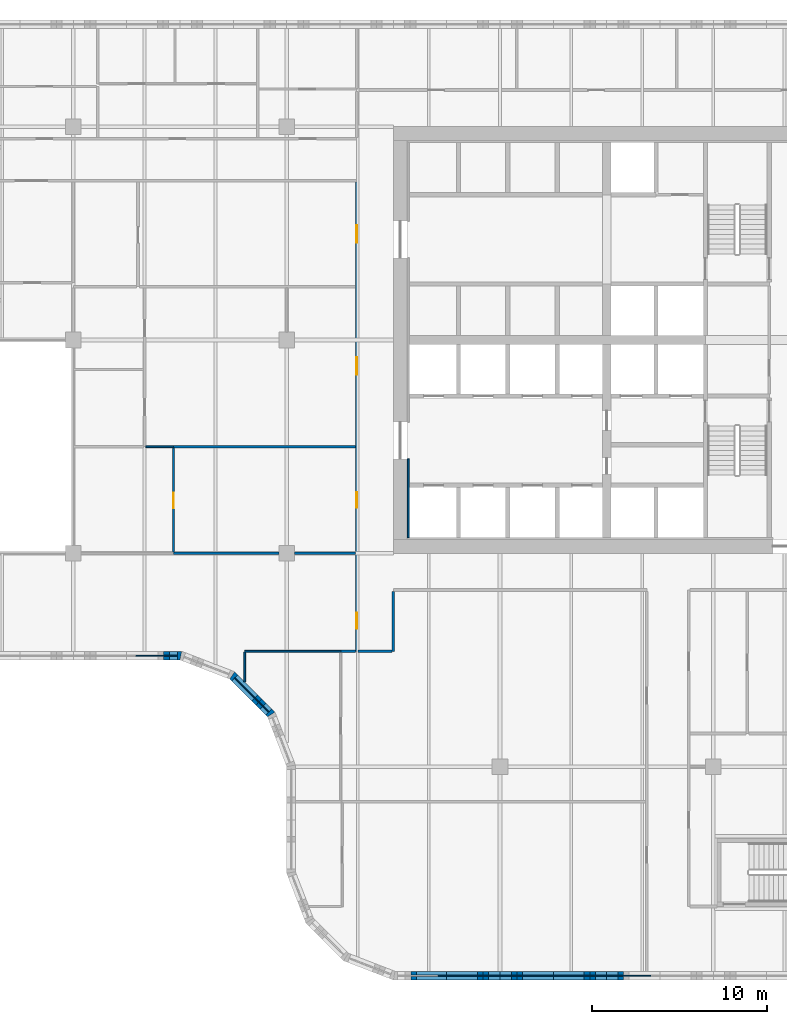
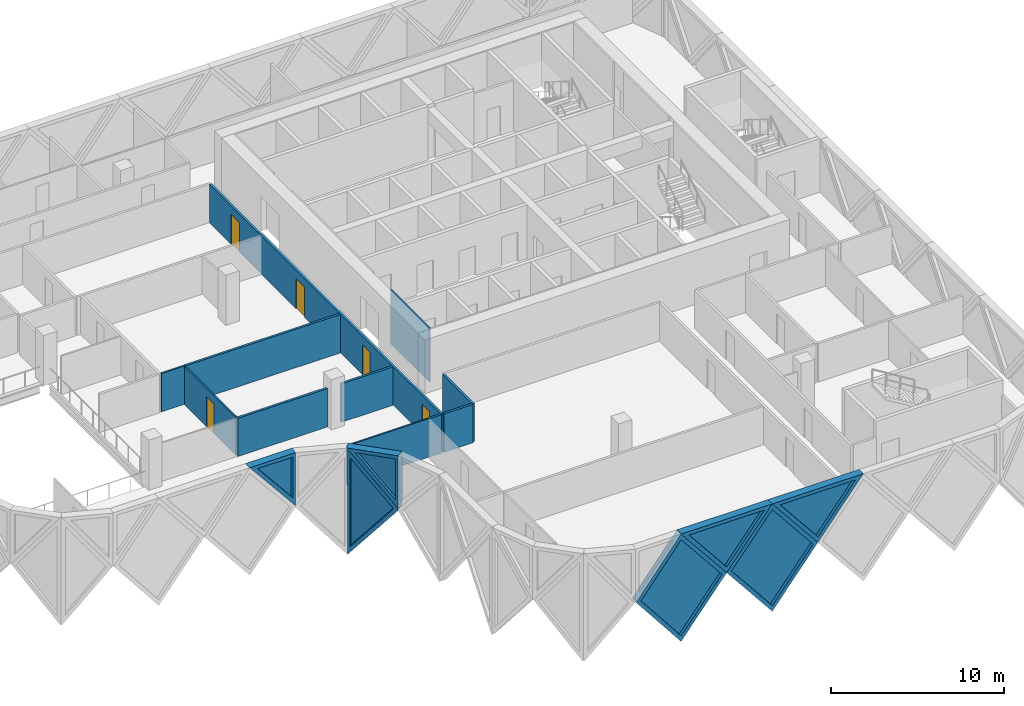
# One storey, part 6 of 24: 19 walls, 7 plates, 5 doors, 12 openings.
"""IFC4 building model written with IfcOpenShell, lengths in metres."""

from ifc_helpers import new_model, si_unit, direction, frame, frame_2d, origin, place, context, subcontext, project, spatial, polyline, rectangle, outline, extrude, faceted_brep, source, transform, mapped, material, layer, layer_set, type_object, element, fill, save


model = new_model("IFC4")

# Units and contexts
model_context = context("Model", 3, precision=1e-05, world=origin(), true_north=direction((0.0, 1.0)))
body_context = subcontext(model_context, "Body", "Model", "MODEL_VIEW")
ifc_project = project(units=[si_unit("LENGTHUNIT", "METRE"), si_unit("AREAUNIT", "SQUARE_METRE"), si_unit("VOLUMEUNIT", "CUBIC_METRE"), si_unit("PLANEANGLEUNIT", "RADIAN"), si_unit("MASSUNIT", "GRAM", prefix="KILO")], contexts=[model_context])

# Site, building, storey
site_placement = place(None, origin())
site = spatial("IfcSite", under=ifc_project, at=site_placement, CompositionType="ELEMENT")
building_placement = place(site_placement, origin())
building = spatial("IfcBuilding", under=site, at=building_placement, Name="Tessera Gate Towers", CompositionType="ELEMENT")
storey_placement = place(building_placement, frame((0.0, 0.0, 102.800048828125)))
storey = spatial("IfcBuildingStorey", under=building, at=storey_placement, Name="L25", CompositionType="ELEMENT", Elevation=102.800048828125)

# Wall
ifc_material_1 = material(Name="Concrete C60/75", Category="concrete")
ifc_layer_1 = layer(ifc_material_1, 0.10009765625)
ifc_layer_set_1 = layer_set([ifc_layer_1], Name="CORE WALL THICKENING 100")
wall_type_1 = type_object("IfcWallType", Name="CORE WALL THICKENING 100", PredefinedType="SOLIDWALL", material=ifc_layer_set_1)
wall_1_placement = place(storey_placement, frame((31.35009765625, 25.300048828125, 0.0), z_axis=(0.0, 0.0, 1.0), x_axis=(0.0, 1.0, 0.0)))
element("IfcWall", 1, at=wall_1_placement, inside=storey, type_object=wall_type_1, Name="Core wall thickening W L25", PredefinedType="SOLIDWALL", context=body_context, shape_type="SweptSolid", body=[
    extrude(rectangle(XDim=4.5, YDim=0.10009765625, at=frame_2d((2.25, 0.0))), origin(), (0.0, 0.0, 1.0), 3.800048828125),
])

# Wall, openings, doors
ifc_material_2 = material(Name="Gypsum board on steel studs, mineral wool", Category="steel")
ifc_layer_2 = layer(ifc_material_2, 0.14990234375)
ifc_layer_set_2 = layer_set([ifc_layer_2], Name="CORRIDOR WALL 150")
wall_type_2 = type_object("IfcWallType", Name="CORRIDOR WALL 150", PredefinedType="PARTITIONING", material=ifc_layer_set_2)
wall_2_placement = place(storey_placement, frame((28.39990234375, 18.800048828125, 0.0), z_axis=(0.0, 0.0, 1.0), x_axis=(0.0, 1.0, 0.0)))
wall_2 = element("IfcWall", 2, at=wall_2_placement, inside=storey, type_object=wall_type_2, Name="T1-L25-PW-019", PredefinedType="PARTITIONING", context=body_context, shape_type="SweptSolid", body=[
    extrude(rectangle(XDim=26.823974609375, YDim=0.14990234375, at=frame_2d((13.412109375, 0.0))), origin(), (0.0, 0.0, 1.0), 2.71484375),
])
shared_shape_1 = source(origin(), body_context, "Body", "SweptSolid", [
    extrude(rectangle(XDim=0.89990234375, YDim=2.10009765625, at=frame_2d((0.449951171875, 1.050048828125))), frame((0.0, 0.0849609375, 0.0), z_axis=(0.0, -1.0, 0.0), x_axis=(1.0, 0.0, 0.0)), (0.0, 0.0, 1.0), 0.169921875),
])
opening_1_placement = place(wall_2_placement, frame((1.300048828125, 0.0, 0.0)))
opening_1 = element("IfcOpeningElement", 3, at=opening_1_placement, cuts=wall_2, Name="Opening D890FD60-A09-01", PredefinedType="OPENING", context=body_context, shape_type="MappedRepresentation", body=[
    mapped(shared_shape_1, transform((0.0, 0.0, 0.0), scale=1.0)),
])
shared_shape_2 = source(origin(), body_context, "Body", "SweptSolid", [
    extrude(rectangle(XDim=1.0, YDim=2.10009765625, at=frame_2d((0.5, 1.050048828125))), frame((0.0, 0.0849609375, 0.0), z_axis=(0.0, -1.0, 0.0), x_axis=(1.0, 0.0, 0.0)), (0.0, 0.0, 1.0), 0.169921875),
])
opening_2_placement = place(wall_2_placement, frame((23.35107421875, 0.0, 0.0)))
opening_2 = element("IfcOpeningElement", 4, at=opening_2_placement, cuts=wall_2, Name="Opening D2100FD60-A09-01", PredefinedType="OPENING", context=body_context, shape_type="MappedRepresentation", body=[
    mapped(shared_shape_2, transform((0.0, 0.0, 0.0), scale=1.0)),
])
opening_3_placement = place(wall_2_placement, frame((8.199951171875, 0.0, 0.0)))
opening_3 = element("IfcOpeningElement", 5, at=opening_3_placement, cuts=wall_2, Name="Opening D890FD60-A09-05", PredefinedType="OPENING", context=body_context, shape_type="MappedRepresentation", body=[
    mapped(shared_shape_1, transform((0.0, 0.0, 0.0), scale=1.0)),
])
opening_4_placement = place(wall_2_placement, frame((15.800048828125, 0.0, 0.0)))
opening_4 = element("IfcOpeningElement", 6, at=opening_4_placement, cuts=wall_2, Name="Opening D2100FD60-A09-03", PredefinedType="OPENING", context=body_context, shape_type="MappedRepresentation", body=[
    mapped(shared_shape_2, transform((0.0, 0.0, 0.0), scale=1.0)),
])
ifc_material_3 = material(Name="Timber door leaf in steel frame", Category="steel")
door_type_1 = type_object("IfcDoorType", Name="CORRIDOR DOOR 900 FD60", OperationType="NOTDEFINED", PredefinedType="DOOR", material=ifc_material_3)
shared_shape_3 = source(origin(), body_context, "Body", "SweptSolid", [
    extrude(rectangle(XDim=0.89990234375, YDim=2.10009765625, at=frame_2d((0.449951171875, 1.050048828125))), frame((0.0, 0.02490234375, 0.0), z_axis=(0.0, -1.0, 0.0), x_axis=(1.0, 0.0, 0.0)), (0.0, 0.0, 1.0), 0.050048828125),
])
door_1_placement = place(opening_1_placement, origin())
door_1 = element("IfcDoor", 7, at=door_1_placement, inside=storey, type_object=door_type_1, Name="T1-L25-PD-001", OperationType="SINGLE_SWING_LEFT", OverallHeight=2.10009765625, OverallWidth=0.89990234375, PredefinedType="DOOR", context=body_context, shape_type="MappedRepresentation", body=[
    mapped(shared_shape_3, transform((0.0, 0.0, 0.0), scale=1.0)),
])
fill(opening_1, door_1)
door_2_placement = place(opening_3_placement, origin())
door_2 = element("IfcDoor", 8, at=door_2_placement, inside=storey, type_object=door_type_1, Name="T1-L25-PD-018", OperationType="SINGLE_SWING_LEFT", OverallHeight=2.10009765625, OverallWidth=0.89990234375, PredefinedType="DOOR", context=body_context, shape_type="MappedRepresentation", body=[
    mapped(shared_shape_3, transform((0.0, 0.0, 0.0), scale=1.0)),
])
fill(opening_3, door_2)
ifc_material_4 = material(Name="Timber door leaf in steel frame", Category="steel")
door_type_2 = type_object("IfcDoorType", Name="TENANCY ENTRANCE DOOR 1000 FD60", OperationType="NOTDEFINED", PredefinedType="DOOR", material=ifc_material_4)
shared_shape_4 = source(origin(), body_context, "Body", "SweptSolid", [
    extrude(rectangle(XDim=1.0, YDim=2.10009765625, at=frame_2d((0.5, 1.050048828125))), frame((0.0, 0.02490234375, 0.0), z_axis=(0.0, -1.0, 0.0), x_axis=(1.0, 0.0, 0.0)), (0.0, 0.0, 1.0), 0.050048828125),
])
door_3_placement = place(opening_2_placement, origin())
door_3 = element("IfcDoor", 9, at=door_3_placement, inside=storey, type_object=door_type_2, Name="T1-L25-PD-013", OperationType="SINGLE_SWING_LEFT", OverallHeight=2.10009765625, OverallWidth=1.0, PredefinedType="DOOR", context=body_context, shape_type="MappedRepresentation", body=[
    mapped(shared_shape_4, transform((0.0, 0.0, 0.0), scale=1.0)),
])
fill(opening_2, door_3)
door_4_placement = place(opening_4_placement, origin())
door_4 = element("IfcDoor", 10, at=door_4_placement, inside=storey, type_object=door_type_2, Name="T1-L25-PD-027", OperationType="SINGLE_SWING_LEFT", OverallHeight=2.10009765625, OverallWidth=1.0, PredefinedType="DOOR", context=body_context, shape_type="MappedRepresentation", body=[
    mapped(shared_shape_4, transform((0.0, 0.0, 0.0), scale=1.0)),
])
fill(opening_4, door_4)

# Walls
wall_3_placement = place(storey_placement, frame((28.47607421875, 18.800048828125, 0.0), z_axis=(0.0, 0.0, 1.0), x_axis=(1.0, 0.0, 0.0)))
element("IfcWall", 11, at=wall_3_placement, inside=storey, type_object=wall_type_2, Name="T1-L25-PW-020", PredefinedType="PARTITIONING", context=body_context, shape_type="SweptSolid", body=[
    extrude(rectangle(XDim=1.947998046875, YDim=0.14990234375, at=frame_2d((0.97412109375, 0.0))), origin(), (0.0, 0.0, 1.0), 2.71484375),
])
wall_4_placement = place(storey_placement, frame((30.5, 18.800048828125, 0.0), z_axis=(0.0, 0.0, 1.0), x_axis=(0.0, 1.0, 0.0)))
element("IfcWall", 12, at=wall_4_placement, inside=storey, type_object=wall_type_2, Name="T1-L25-PW-021", PredefinedType="PARTITIONING", context=body_context, shape_type="SweptSolid", body=[
    extrude(rectangle(XDim=3.424072265625, YDim=0.14990234375, at=frame_2d((1.7119140625, 0.0))), origin(), (0.0, 0.0, 1.0), 2.71484375),
])
ifc_material_5 = material(Name="Glass", Category="glass")
ifc_layer_3 = layer(ifc_material_5, 0.10009765625)
ifc_layer_set_3 = layer_set([ifc_layer_3], Name="GLAZED PARTITION 100")
wall_type_3 = type_object("IfcWallType", Name="GLAZED PARTITION 100", PredefinedType="PARTITIONING", material=ifc_layer_set_3)
wall_5_placement = place(storey_placement, frame((22.0, 17.054931640625, 0.0), z_axis=(0.0, 0.0, 1.0), x_axis=(0.0, 1.0, 0.0)))
element("IfcWall", 13, at=wall_5_placement, inside=storey, type_object=wall_type_3, Name="T1-L25-PW-016", PredefinedType="PARTITIONING", context=body_context, shape_type="SweptSolid", body=[
    extrude(rectangle(XDim=1.694091796875, YDim=0.10009765625, at=frame_2d((0.84716796875, 0.0))), origin(), (0.0, 0.0, 1.0), 2.71484375),
])
wall_6_placement = place(storey_placement, frame((22.0, 18.800048828125, 0.0), z_axis=(0.0, 0.0, 1.0), x_axis=(1.0, 0.0, 0.0)))
element("IfcWall", 14, at=wall_6_placement, inside=storey, type_object=wall_type_3, Name="T1-L25-PW-017", PredefinedType="PARTITIONING", context=body_context, shape_type="SweptSolid", body=[
    extrude(rectangle(XDim=5.4990234375, YDim=0.10009765625, at=frame_2d((2.74951171875, 0.0))), origin(), (0.0, 0.0, 1.0), 2.71484375),
])

# Wall, opening, door
wall_7_placement = place(storey_placement, frame((17.925048828125, 24.47607421875, 0.0), z_axis=(0.0, 0.0, 1.0), x_axis=(0.0, 1.0, 0.0)))
wall_7 = element("IfcWall", 15, at=wall_7_placement, inside=storey, type_object=wall_type_3, Name="T1-L25-PW-030", PredefinedType="PARTITIONING", context=body_context, shape_type="SweptSolid", body=[
    extrude(rectangle(XDim=5.947998046875, YDim=0.10009765625, at=frame_2d((2.97412109375, 0.0))), origin(), (0.0, 0.0, 1.0), 2.71484375),
])
shared_shape_5 = source(origin(), body_context, "Body", "SweptSolid", [
    extrude(rectangle(XDim=0.89990234375, YDim=2.10009765625, at=frame_2d((0.449951171875, 1.050048828125))), frame((0.0, 0.06005859375, 0.0), z_axis=(0.0, -1.0, 0.0), x_axis=(1.0, 0.0, 0.0)), (0.0, 0.0, 1.0), 0.1201171875),
])
opening_5_placement = place(wall_7_placement, frame((2.5, 0.0, 0.0)))
opening_5 = element("IfcOpeningElement", 16, at=opening_5_placement, cuts=wall_7, Name="Opening D690-A09-02", PredefinedType="OPENING", context=body_context, shape_type="MappedRepresentation", body=[
    mapped(shared_shape_5, transform((0.0, 0.0, 0.0), scale=1.0)),
])
ifc_material_6 = material(Name="Glass in aluminium frame", Category="aluminium")
door_type_3 = type_object("IfcDoorType", Name="GLAZED DOOR 900 NOT RATED", OperationType="NOTDEFINED", PredefinedType="DOOR", material=ifc_material_6)
door_5_placement = place(opening_5_placement, origin())
door_5 = element("IfcDoor", 17, at=door_5_placement, inside=storey, type_object=door_type_3, Name="T1-L25-PD-012", OperationType="SINGLE_SWING_LEFT", OverallHeight=2.10009765625, OverallWidth=0.89990234375, PredefinedType="DOOR", context=body_context, shape_type="MappedRepresentation", body=[
    mapped(shared_shape_3, transform((0.0, 0.0, 0.0), scale=1.0)),
])
fill(opening_5, door_5)

# Walls
wall_8_placement = place(storey_placement, frame((16.35107421875, 30.5, 0.0), z_axis=(0.0, 0.0, 1.0), x_axis=(1.0, 0.0, 0.0)))
element("IfcWall", 18, at=wall_8_placement, inside=storey, type_object=wall_type_3, Name="T1-L25-PW-033", PredefinedType="PARTITIONING", context=body_context, shape_type="SweptSolid", body=[
    extrude(rectangle(XDim=1.572998046875, YDim=0.10009765625, at=frame_2d((0.78662109375, 0.0))), origin(), (0.0, 0.0, 1.0), 2.71484375),
])
ifc_material_7 = material(Name="Gypsum board on steel studs, mineral wool", Category="steel")
ifc_layer_4 = layer(ifc_material_7, 0.14990234375)
ifc_layer_set_4 = layer_set([ifc_layer_4], Name="TENANCY WALL 150")
wall_type_4 = type_object("IfcWallType", Name="TENANCY WALL 150", PredefinedType="PARTITIONING", material=ifc_layer_set_4)
wall_9_placement = place(storey_placement, frame((27.5, 18.800048828125, 0.0), z_axis=(0.0, 0.0, 1.0), x_axis=(1.0, 0.0, 0.0)))
element("IfcWall", 19, at=wall_9_placement, inside=storey, type_object=wall_type_4, Name="T1-L25-PW-018", PredefinedType="PARTITIONING", context=body_context, shape_type="SweptSolid", body=[
    extrude(rectangle(XDim=0.823974609375, YDim=0.14990234375, at=frame_2d((0.412109375, 0.0))), origin(), (0.0, 0.0, 1.0), 2.71484375),
])
wall_10_placement = place(storey_placement, frame((17.925048828125, 24.39990234375, 0.0), z_axis=(0.0, 0.0, 1.0), x_axis=(1.0, 0.0, 0.0)))
element("IfcWall", 20, at=wall_10_placement, inside=storey, type_object=wall_type_4, Name="T1-L25-PW-028", PredefinedType="PARTITIONING", context=body_context, shape_type="SweptSolid", body=[
    extrude(rectangle(XDim=6.02392578125, YDim=0.14990234375, at=frame_2d((3.011962890625, 0.0))), origin(), (0.0, 0.0, 1.0), 2.71484375),
])
wall_11_placement = place(storey_placement, frame((24.85107421875, 24.39990234375, 0.0), z_axis=(0.0, 0.0, 1.0), x_axis=(1.0, 0.0, 0.0)))
element("IfcWall", 21, at=wall_11_placement, inside=storey, type_object=wall_type_4, Name="T1-L25-PW-029", PredefinedType="PARTITIONING", context=body_context, shape_type="SweptSolid", body=[
    extrude(rectangle(XDim=3.472900390625, YDim=0.14990234375, at=frame_2d((1.736328125, 0.0))), origin(), (0.0, 0.0, 1.0), 2.71484375),
])
wall_12_placement = place(storey_placement, frame((17.925048828125, 30.5, 0.0), z_axis=(0.0, 0.0, 1.0), x_axis=(1.0, 0.0, 0.0)))
element("IfcWall", 22, at=wall_12_placement, inside=storey, type_object=wall_type_4, Name="T1-L25-PW-034", PredefinedType="PARTITIONING", context=body_context, shape_type="SweptSolid", body=[
    extrude(rectangle(XDim=10.39892578125, YDim=0.14990234375, at=frame_2d((5.199462890625, 0.0))), origin(), (0.0, 0.0, 1.0), 2.71484375),
])

# Wall, opening, plate
ifc_material_8 = material(Name="Precast concrete C60/75 white", Category="concrete")
ifc_layer_5 = layer(ifc_material_8, 0.5)
ifc_layer_set_5 = layer_set([ifc_layer_5], Name="TS1 tessera")
wall_type_5 = type_object("IfcWallType", Name="TS1 tessera", PredefinedType="SOLIDWALL", material=ifc_layer_set_5)
shared_shape_6 = source(origin(), body_context, "Body", "Brep", [
    faceted_brep([(3.00341796875, -0.25, 0.0), (6.053466796875, -0.25, 3.800048828125), (3.00341796875, -0.25, 7.60009765625), (0.0, -0.25, 3.800048828125), (0.046630859375, 0.25, 3.85888671875), (3.00341796875, 0.25, 7.60009765625), (6.053466796875, 0.25, 3.800048828125), (3.00341796875, 0.25, 0.0), (0.046630859375, 0.25, 3.7412109375), (0.0, 0.0, 3.800048828125)], [[[0, 1, 2, 3]], [[4, 5, 6, 7, 8]], [[7, 6, 1, 0]], [[6, 5, 2, 1]], [[5, 4, 9, 3, 2]], [[8, 7, 0, 3, 9]], [[8, 9, 4]]]),
])
wall_13_placement = place(storey_placement, frame((30.546630859375, 0.25, -3.800048828125), z_axis=(0.0, 0.0, 1.0), x_axis=(1.0, 0.0, 0.0)))
wall_13 = element("IfcWall", 23, at=wall_13_placement, inside=storey, type_object=wall_type_5, Name="Precast tessera T1 TS1-0414", PredefinedType="SOLIDWALL", context=body_context, shape_type="MappedRepresentation", body=[
    mapped(shared_shape_6, transform((0.0, 0.0, 0.0), scale=1.0)),
])
shared_shape_7 = source(origin(), body_context, "Body", "SweptSolid", [
    extrude(outline(polyline([(3.0048828125, 0.4013671875), (5.73291015625, 3.800048828125), (3.0048828125, 7.19873046875), (0.318603515625, 3.800048828125), (3.0048828125, 0.4013671875)])), frame((0.0, 0.260009765625, 0.0), z_axis=(0.0, -1.0, 0.0), x_axis=(1.0, 0.0, 0.0)), (0.0, 0.0, 1.0), 0.52001953125),
])
opening_6_placement = place(wall_13_placement, origin())
opening_6 = element("IfcOpeningElement", 24, at=opening_6_placement, cuts=wall_13, Name="Opening T1-PL2-0846", PredefinedType="OPENING", context=body_context, shape_type="MappedRepresentation", body=[
    mapped(shared_shape_7, transform((0.0, 0.0, 0.0), scale=1.0)),
])
ifc_material_9 = material(Name="Low-e laminated glass", Category="glass")
ifc_layer_6 = layer(ifc_material_9, 0.06005859375)
ifc_layer_set_6 = layer_set([ifc_layer_6], Name="PL2 rhombic pane")
plate_type_1 = type_object("IfcPlateType", Name="PL2 rhombic pane", PredefinedType="SHEET", material=ifc_layer_set_6)
shared_shape_8 = source(origin(), body_context, "Body", "SweptSolid", [
    extrude(outline(polyline([(3.0048828125, 0.4013671875), (5.73291015625, 3.800048828125), (3.0048828125, 7.19873046875), (0.318603515625, 3.800048828125), (3.0048828125, 0.4013671875)])), frame((0.0, 0.030029296875, 0.0), z_axis=(0.0, -1.0, 0.0), x_axis=(1.0, 0.0, 0.0)), (0.0, 0.0, 1.0), 0.06005859375),
])
plate_1_placement = place(opening_6_placement, origin())
plate_1 = element("IfcPlate", 25, at=plate_1_placement, inside=storey, type_object=plate_type_1, Name="Glass pane T1 PL2-0846", PredefinedType="SHEET", context=body_context, shape_type="MappedRepresentation", body=[
    mapped(shared_shape_8, transform((0.0, 0.0, 0.0), scale=1.0)),
])
fill(opening_6, plate_1)

shared_shape_9 = source(origin(), body_context, "Body", "Brep", [
    faceted_brep([(3.050048828125, -0.25, 0.0), (6.099853515625, -0.25, 3.7998046875), (6.099853515625, -0.25, 3.80029296875), (3.050048828125, -0.25, 7.60009765625), (0.0, -0.25, 3.800048828125), (0.0, 0.25, 3.800048828125), (3.050048828125, 0.25, 7.60009765625), (6.099853515625, 0.25, 3.80029296875), (6.099853515625, 0.25, 3.7998046875), (3.050048828125, 0.25, 0.0)], [[[0, 1, 2, 3, 4]], [[5, 6, 7, 8, 9]], [[9, 8, 1, 0]], [[7, 6, 3, 2]], [[6, 5, 4, 3]], [[5, 9, 0, 4]], [[1, 8, 7, 2]]]),
])
wall_14_placement = place(storey_placement, frame((36.60009765625, 0.25, -3.800048828125), z_axis=(0.0, 0.0, 1.0), x_axis=(1.0, 0.0, 0.0)))
wall_14 = element("IfcWall", 26, at=wall_14_placement, inside=storey, type_object=wall_type_5, Name="Precast tessera T1 TS1-0415", PredefinedType="SOLIDWALL", context=body_context, shape_type="MappedRepresentation", body=[
    mapped(shared_shape_9, transform((0.0, 0.0, 0.0), scale=1.0)),
])
shared_shape_10 = source(origin(), body_context, "Body", "SweptSolid", [
    extrude(outline(polyline([(3.050048828125, 0.3994140625), (5.779541015625, 3.800048828125), (3.050048828125, 7.20068359375), (0.320556640625, 3.800048828125), (3.050048828125, 0.3994140625)])), frame((0.0, 0.260009765625, 0.0), z_axis=(0.0, -1.0, 0.0), x_axis=(1.0, 0.0, 0.0)), (0.0, 0.0, 1.0), 0.52001953125),
])
opening_7_placement = place(wall_14_placement, origin())
opening_7 = element("IfcOpeningElement", 27, at=opening_7_placement, cuts=wall_14, Name="Opening T1-PL2-0847", PredefinedType="OPENING", context=body_context, shape_type="MappedRepresentation", body=[
    mapped(shared_shape_10, transform((0.0, 0.0, 0.0), scale=1.0)),
])
shared_shape_11 = source(origin(), body_context, "Body", "SweptSolid", [
    extrude(outline(polyline([(3.050048828125, 0.3994140625), (5.779541015625, 3.800048828125), (3.050048828125, 7.20068359375), (0.320556640625, 3.800048828125), (3.050048828125, 0.3994140625)])), frame((0.0, 0.030029296875, 0.0), z_axis=(0.0, -1.0, 0.0), x_axis=(1.0, 0.0, 0.0)), (0.0, 0.0, 1.0), 0.06005859375),
])
plate_2_placement = place(opening_7_placement, origin())
plate_2 = element("IfcPlate", 28, at=plate_2_placement, inside=storey, type_object=plate_type_1, Name="Glass pane T1 PL2-0847", PredefinedType="SHEET", context=body_context, shape_type="MappedRepresentation", body=[
    mapped(shared_shape_11, transform((0.0, 0.0, 0.0), scale=1.0)),
])
fill(opening_7, plate_2)

ifc_material_10 = material(Name="Precast concrete C60/75 white", Category="concrete")
ifc_layer_7 = layer(ifc_material_10, 0.5)
ifc_layer_set_7 = layer_set([ifc_layer_7], Name="TS3 corner tessera")
wall_type_6 = type_object("IfcWallType", Name="TS3 corner tessera", PredefinedType="SOLIDWALL", material=ifc_layer_set_7)
shared_shape_12 = source(origin(), body_context, "Body", "Brep", [
    faceted_brep([(0.10595703125, -0.25, 0.063720703125), (3.156005859375, -0.25, 3.736328125), (3.156005859375, -0.25, 3.86376953125), (0.10595703125, -0.25, 7.536376953125), (0.0, 0.25, 7.5361328125), (0.052978515625, 0.25, 7.60009765625), (3.208740234375, 0.25, 3.800048828125), (0.052978515625, 0.25, 0.0), (0.0, 0.25, 0.06396484375), (3.208740234375, -0.00048828125, 3.800048828125), (0.052978515625, 0.0, 0.0), (0.052978515625, 0.0, 7.60009765625)], [[[0, 1, 2, 3]], [[4, 5, 6, 7, 8]], [[7, 6, 9, 1, 0, 10]], [[6, 5, 11, 3, 2, 9]], [[5, 4, 11]], [[8, 7, 10]], [[8, 10, 0, 3, 11, 4]], [[1, 9, 2]]]),
])
wall_15_placement = place(storey_placement, frame((21.24755859375, 17.453857421875, -3.800048828125), z_axis=(0.0, 0.0, 1.0), x_axis=(0.707106781187, -0.707106781187, 0.0)))
wall_15 = element("IfcWall", 29, at=wall_15_placement, inside=storey, type_object=wall_type_6, Name="Precast corner tessera T1 TS3-0570", PredefinedType="SOLIDWALL", context=body_context, shape_type="MappedRepresentation", body=[
    mapped(shared_shape_12, transform((0.0, 0.0, 0.0), scale=1.0)),
])
shared_shape_13 = source(origin(), body_context, "Body", "SweptSolid", [
    extrude(outline(polyline([(0.2529296875, 0.632080078125), (2.8837890625, 3.800048828125), (0.2529296875, 6.9677734375), (0.2529296875, 0.632080078125)])), frame((0.0, 0.260009765625, 0.0), z_axis=(0.0, -1.0, 0.0), x_axis=(1.0, 0.0, 0.0)), (0.0, 0.0, 1.0), 0.52001953125),
])
opening_8_placement = place(wall_15_placement, origin())
opening_8 = element("IfcOpeningElement", 30, at=opening_8_placement, cuts=wall_15, Name="Opening T1-PL2-0886", PredefinedType="OPENING", context=body_context, shape_type="MappedRepresentation", body=[
    mapped(shared_shape_13, transform((0.0, 0.0, 0.0), scale=1.0)),
])
shared_shape_14 = source(origin(), body_context, "Body", "SweptSolid", [
    extrude(outline(polyline([(0.2529296875, 0.632080078125), (2.8837890625, 3.800048828125), (0.2529296875, 6.9677734375), (0.2529296875, 0.632080078125)])), frame((0.0, 0.030029296875, 0.0), z_axis=(0.0, -1.0, 0.0), x_axis=(1.0, 0.0, 0.0)), (0.0, 0.0, 1.0), 0.06005859375),
])
plate_3_placement = place(opening_8_placement, origin())
plate_3 = element("IfcPlate", 31, at=plate_3_placement, inside=storey, type_object=plate_type_1, Name="Glass pane T1 PL2-0886", PredefinedType="SHEET", context=body_context, shape_type="MappedRepresentation", body=[
    mapped(shared_shape_14, transform((0.0, 0.0, 0.0), scale=1.0)),
])
fill(opening_8, plate_3)

ifc_material_11 = material(Name="Precast concrete C60/75 white", Category="concrete")
ifc_layer_8 = layer(ifc_material_11, 0.5)
ifc_layer_set_8 = layer_set([ifc_layer_8], Name="TS2 half tessera")
wall_type_7 = type_object("IfcWallType", Name="TS2 half tessera", PredefinedType="SOLIDWALL", material=ifc_layer_set_8)
shared_shape_15 = source(origin(), body_context, "Body", "Brep", [
    faceted_brep([(3.050048828125, -0.25, 0.0), (6.099853515625, -0.25, 3.7998046875), (6.099853515625, -0.25, 3.800048828125), (0.0, -0.25, 3.800048828125), (0.0, 0.25, 3.800048828125), (6.099853515625, 0.25, 3.800048828125), (6.099853515625, 0.25, 3.7998046875), (3.050048828125, 0.25, 0.0)], [[[0, 1, 2, 3]], [[4, 5, 6, 7]], [[7, 6, 1, 0]], [[5, 4, 3, 2]], [[4, 7, 0, 3]], [[1, 6, 5, 2]]]),
])
wall_16_placement = place(storey_placement, frame((33.550048828125, 0.25, 0.0), z_axis=(0.0, 0.0, 1.0), x_axis=(1.0, 0.0, 0.0)))
wall_16 = element("IfcWall", 32, at=wall_16_placement, inside=storey, type_object=wall_type_7, Name="Precast half tessera T1 TS2-0115", PredefinedType="SOLIDWALL", context=body_context, shape_type="MappedRepresentation", body=[
    mapped(shared_shape_15, transform((0.0, 0.0, 0.0), scale=1.0)),
])
shared_shape_16 = source(origin(), body_context, "Body", "SweptSolid", [
    extrude(outline(polyline([(3.050048828125, 0.3994140625), (5.578857421875, 3.550048828125), (0.521240234375, 3.550048828125), (3.050048828125, 0.3994140625)])), frame((0.0, 0.260009765625, 0.0), z_axis=(0.0, -1.0, 0.0), x_axis=(1.0, 0.0, 0.0)), (0.0, 0.0, 1.0), 0.52001953125),
])
opening_9_placement = place(wall_16_placement, origin())
opening_9 = element("IfcOpeningElement", 33, at=opening_9_placement, cuts=wall_16, Name="Opening T1-PL1-0237", PredefinedType="OPENING", context=body_context, shape_type="MappedRepresentation", body=[
    mapped(shared_shape_16, transform((0.0, 0.0, 0.0), scale=1.0)),
])
ifc_material_12 = material(Name="Low-e laminated glass", Category="glass")
ifc_layer_9 = layer(ifc_material_12, 0.06005859375)
ifc_layer_set_9 = layer_set([ifc_layer_9], Name="PL1 triangular pane")
plate_type_2 = type_object("IfcPlateType", Name="PL1 triangular pane", PredefinedType="SHEET", material=ifc_layer_set_9)
shared_shape_17 = source(origin(), body_context, "Body", "SweptSolid", [
    extrude(outline(polyline([(3.050048828125, 0.3994140625), (5.578857421875, 3.550048828125), (0.521240234375, 3.550048828125), (3.050048828125, 0.3994140625)])), frame((0.0, 0.030029296875, 0.0), z_axis=(0.0, -1.0, 0.0), x_axis=(1.0, 0.0, 0.0)), (0.0, 0.0, 1.0), 0.06005859375),
])
plate_4_placement = place(opening_9_placement, origin())
plate_4 = element("IfcPlate", 34, at=plate_4_placement, inside=storey, type_object=plate_type_2, Name="Glass pane T1 PL1-0237", PredefinedType="SHEET", context=body_context, shape_type="MappedRepresentation", body=[
    mapped(shared_shape_17, transform((0.0, 0.0, 0.0), scale=1.0)),
])
fill(opening_9, plate_4)

shared_shape_18 = source(origin(), body_context, "Body", "SweptSolid", [
    extrude(outline(polyline([(3.050048828125, 0.0), (6.10009765625, 3.800048828125), (0.0, 3.800048828125), (3.050048828125, 0.0)])), frame((0.0, 0.25, 0.0), z_axis=(0.0, -1.0, 0.0), x_axis=(1.0, 0.0, 0.0)), (0.0, 0.0, 1.0), 0.5),
])
wall_17_placement = place(storey_placement, frame((39.64990234375, 0.25, 0.0), z_axis=(0.0, 0.0, 1.0), x_axis=(1.0, 0.0, 0.0)))
wall_17 = element("IfcWall", 35, at=wall_17_placement, inside=storey, type_object=wall_type_7, Name="Precast half tessera T1 TS2-0116", PredefinedType="SOLIDWALL", context=body_context, shape_type="MappedRepresentation", body=[
    mapped(shared_shape_18, transform((0.0, 0.0, 0.0), scale=1.0)),
])
opening_10_placement = place(wall_17_placement, origin())
opening_10 = element("IfcOpeningElement", 36, at=opening_10_placement, cuts=wall_17, Name="Opening T1-PL1-0238", PredefinedType="OPENING", context=body_context, shape_type="MappedRepresentation", body=[
    mapped(shared_shape_16, transform((0.0, 0.0, 0.0), scale=1.0)),
])
plate_5_placement = place(opening_10_placement, origin())
plate_5 = element("IfcPlate", 37, at=plate_5_placement, inside=storey, type_object=plate_type_2, Name="Glass pane T1 PL1-0238", PredefinedType="SHEET", context=body_context, shape_type="MappedRepresentation", body=[
    mapped(shared_shape_17, transform((0.0, 0.0, 0.0), scale=1.0)),
])
fill(opening_10, plate_5)

shared_shape_19 = source(origin(), body_context, "Body", "Brep", [
    faceted_brep([(3.050048828125, -0.25, 3.800048828125), (0.0, -0.25, 3.800048828125), (3.050048828125, -0.25, 0.056884765625), (0.0, 0.25, 3.800048828125), (3.14306640625, 0.25, 3.800048828125), (3.14306640625, 0.25, 0.056396484375), (3.096435546875, 0.25, 0.0), (3.096435546875, -0.00048828125, 0.0)], [[[0, 1, 2]], [[3, 4, 5, 6]], [[6, 5, 7]], [[4, 3, 1, 0]], [[3, 6, 7, 2, 1]], [[2, 7, 5, 4, 0]]]),
])
wall_18_placement = place(storey_placement, frame((15.25, 18.550048828125, 0.0), z_axis=(0.0, 0.0, 1.0), x_axis=(1.0, 0.0, 0.0)))
wall_18 = element("IfcWall", 38, at=wall_18_placement, inside=storey, type_object=wall_type_6, Name="Precast corner tessera T1 TS3-0595", PredefinedType="SOLIDWALL", context=body_context, shape_type="MappedRepresentation", body=[
    mapped(shared_shape_19, transform((0.0, 0.0, 0.0), scale=1.0)),
])
shared_shape_20 = source(origin(), body_context, "Body", "SweptSolid", [
    extrude(outline(polyline([(2.896484375, 3.550048828125), (0.526123046875, 3.550048828125), (2.896484375, 0.64111328125), (2.896484375, 3.550048828125)])), frame((0.0, 0.260009765625, 0.0), z_axis=(0.0, -1.0, 0.0), x_axis=(1.0, 0.0, 0.0)), (0.0, 0.0, 1.0), 0.52001953125),
])
opening_11_placement = place(wall_18_placement, origin())
opening_11 = element("IfcOpeningElement", 39, at=opening_11_placement, cuts=wall_18, Name="Opening T1-PL1-0275", PredefinedType="OPENING", context=body_context, shape_type="MappedRepresentation", body=[
    mapped(shared_shape_20, transform((0.0, 0.0, 0.0), scale=1.0)),
])
shared_shape_21 = source(origin(), body_context, "Body", "SweptSolid", [
    extrude(outline(polyline([(2.896484375, 3.550048828125), (0.526123046875, 3.550048828125), (2.896484375, 0.64111328125), (2.896484375, 3.550048828125)])), frame((0.0, 0.030029296875, 0.0), z_axis=(0.0, -1.0, 0.0), x_axis=(1.0, 0.0, 0.0)), (0.0, 0.0, 1.0), 0.06005859375),
])
plate_6_placement = place(opening_11_placement, origin())
plate_6 = element("IfcPlate", 40, at=plate_6_placement, inside=storey, type_object=plate_type_2, Name="Glass pane T1 PL1-0275", PredefinedType="SHEET", context=body_context, shape_type="MappedRepresentation", body=[
    mapped(shared_shape_21, transform((0.0, 0.0, 0.0), scale=1.0)),
])
fill(opening_11, plate_6)

shared_shape_22 = source(origin(), body_context, "Body", "Brep", [
    faceted_brep([(3.10302734375, -0.25, 3.800048828125), (0.052978515625, -0.25, 3.800048828125), (0.052978515625, -0.25, 3.736328125), (3.10302734375, -0.25, 0.063720703125), (0.0, 0.25, 3.800048828125), (3.208740234375, 0.25, 3.800048828125), (3.208740234375, 0.25, 0.06396484375), (3.15576171875, 0.25, 0.0), (3.15576171875, -0.00048828125, 0.0), (0.0, 0.0, 3.800048828125)], [[[0, 1, 2, 3]], [[4, 5, 6, 7]], [[7, 6, 8]], [[5, 4, 9, 1, 0]], [[4, 7, 8, 3, 2, 9]], [[2, 1, 9]], [[3, 8, 6, 5, 0]]]),
])
wall_19_placement = place(storey_placement, frame((21.284912109375, 17.41650390625, 0.0), z_axis=(0.0, 0.0, 1.0), x_axis=(0.707106781187, -0.707106781187, 0.0)))
wall_19 = element("IfcWall", 41, at=wall_19_placement, inside=storey, type_object=wall_type_6, Name="Precast corner tessera T1 TS3-0597", PredefinedType="SOLIDWALL", context=body_context, shape_type="MappedRepresentation", body=[
    mapped(shared_shape_22, transform((0.0, 0.0, 0.0), scale=1.0)),
])
shared_shape_23 = source(origin(), body_context, "Body", "SweptSolid", [
    extrude(outline(polyline([(2.955810546875, 3.550048828125), (0.53271484375, 3.550048828125), (2.955810546875, 0.632080078125), (2.955810546875, 3.550048828125)])), frame((0.0, 0.260009765625, 0.0), z_axis=(0.0, -1.0, 0.0), x_axis=(1.0, 0.0, 0.0)), (0.0, 0.0, 1.0), 0.52001953125),
])
opening_12_placement = place(wall_19_placement, origin())
opening_12 = element("IfcOpeningElement", 42, at=opening_12_placement, cuts=wall_19, Name="Opening T1-PL1-0277", PredefinedType="OPENING", context=body_context, shape_type="MappedRepresentation", body=[
    mapped(shared_shape_23, transform((0.0, 0.0, 0.0), scale=1.0)),
])
shared_shape_24 = source(origin(), body_context, "Body", "SweptSolid", [
    extrude(outline(polyline([(2.955810546875, 3.550048828125), (0.53271484375, 3.550048828125), (2.955810546875, 0.632080078125), (2.955810546875, 3.550048828125)])), frame((0.0, 0.030029296875, 0.0), z_axis=(0.0, -1.0, 0.0), x_axis=(1.0, 0.0, 0.0)), (0.0, 0.0, 1.0), 0.06005859375),
])
plate_7_placement = place(opening_12_placement, origin())
plate_7 = element("IfcPlate", 43, at=plate_7_placement, inside=storey, type_object=plate_type_2, Name="Glass pane T1 PL1-0277", PredefinedType="SHEET", context=body_context, shape_type="MappedRepresentation", body=[
    mapped(shared_shape_24, transform((0.0, 0.0, 0.0), scale=1.0)),
])
fill(opening_12, plate_7)

save(model, "model.ifc")
